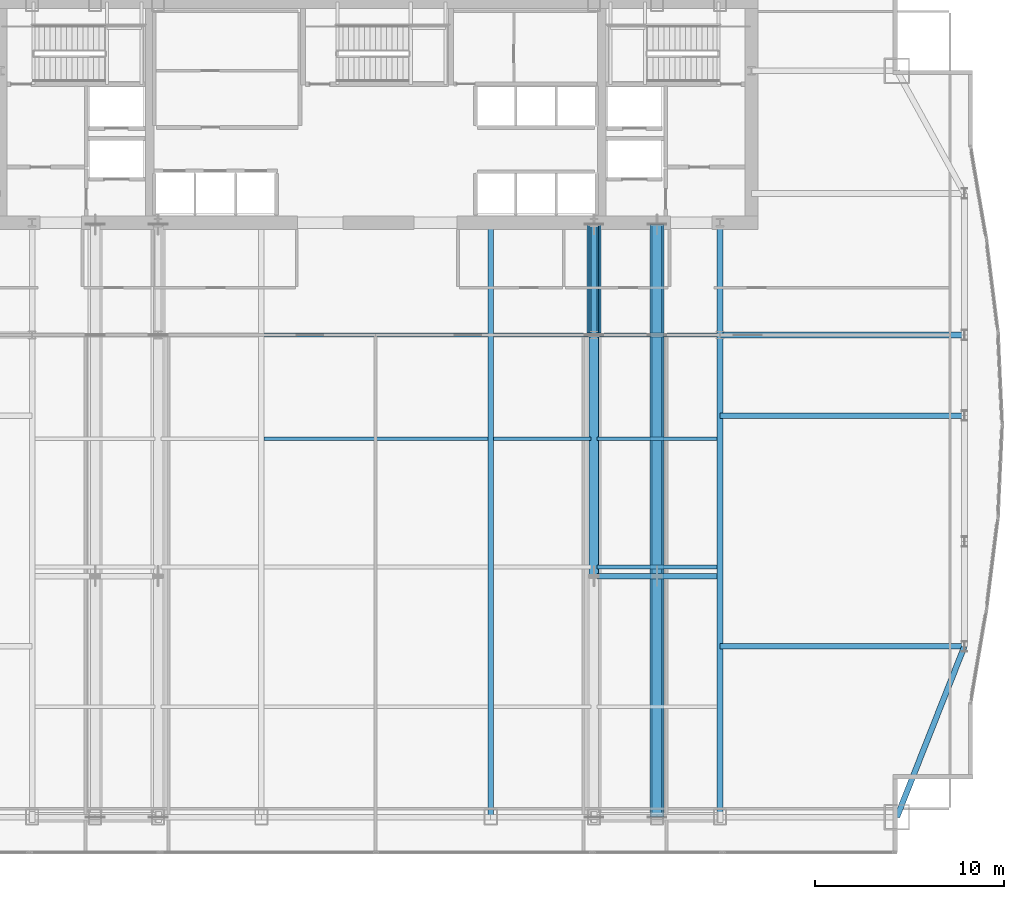
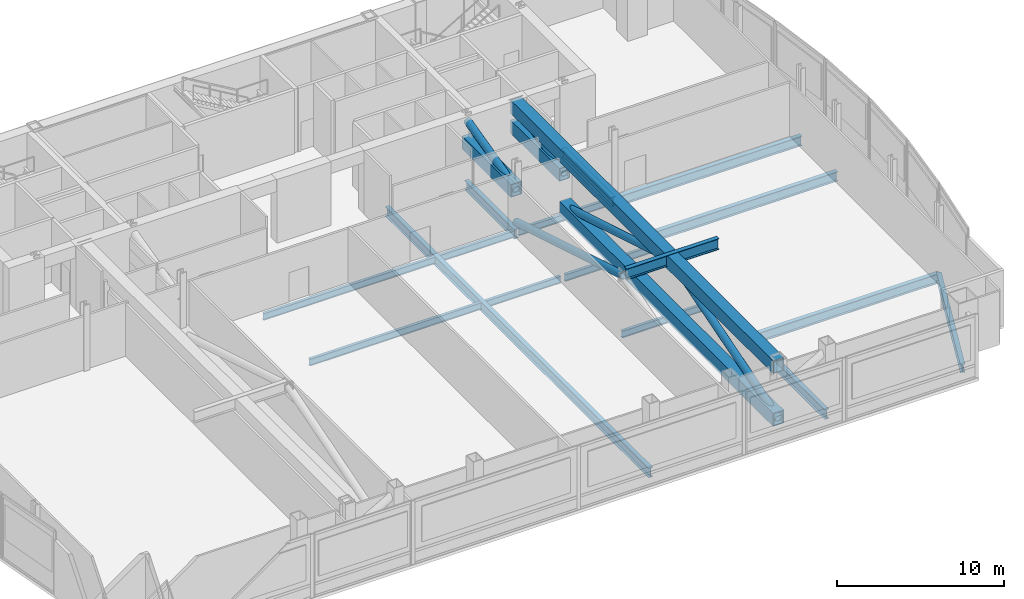
# One storey, part 16 of 30: 16 beams, 9 members.
"""IFC4 building model written with IfcOpenShell, lengths in metres."""

import ifcopenshell
import ifcopenshell.guid

model = None  # the IFC model being written
_history = None  # IfcOwnerHistory: only IFC2X3 demands one
_inside = {}  # id of a spatial element -> (the spatial element, [elements in it])
_under = {}  # id of a project, library or spatial element -> (it, [spatial elements below it])
_declared = {}  # id of a project -> (the project, [libraries it declares])
_typed = {}  # id of a type object -> (the type object, [elements of that type])
_made_of = {}  # id of a material, layer set ... -> (it, [elements and type objects made of it])


def new_model(schema):
    """Start an empty IFC model of exactly this schema.

    Asked for "IFC4X3", IfcOpenShell would pick the latest addendum, in which some entities
    have other attributes; the version numbers below select the first issue.
    IFC2X3 requires an IfcOwnerHistory on every rooted entity: one is made here for all.
    """
    global model, _history
    if schema == "IFC4X3":
        model = ifcopenshell.file(schema_version=(4, 3, 0, 0))
    else:
        model = ifcopenshell.file(schema=schema)
    _inside.clear()
    _under.clear()
    _declared.clear()
    _typed.clear()
    _made_of.clear()
    _history = None
    if model.schema == "IFC2X3":
        org = make("IfcOrganization", Name="unknown")
        user = make(
            "IfcPersonAndOrganization",
            ThePerson=make("IfcPerson", FamilyName="unknown"),
            TheOrganization=org,
        )
        app = make(
            "IfcApplication",
            ApplicationDeveloper=org,
            Version="unknown",
            ApplicationFullName="unknown",
            ApplicationIdentifier="unknown",
        )
        _history = make(
            "IfcOwnerHistory",
            OwningUser=user,
            OwningApplication=app,
            ChangeAction="ADDED",
            CreationDate=0,
        )
    return model


def make(cls, **values):
    """One entity of the class cls with the attributes given. An attribute that is None is left unset."""
    return model.create_entity(
        cls, **{name: value for name, value in values.items() if value is not None}
    )


def rooted(cls, **values):
    """An entity with a GlobalId (a new one), such as an element, a storey or a relation."""
    return make(cls, GlobalId=ifcopenshell.guid.new(), OwnerHistory=_history, **values)


def si_unit(unit_type, name, prefix=None):
    """IfcSIUnit, for example si_unit("LENGTHUNIT", "METRE", prefix="MILLI")."""
    return make("IfcSIUnit", UnitType=unit_type, Prefix=prefix, Name=name)


def assignment(units):
    """IfcUnitAssignment: the units of a project."""
    return None if units is None else make("IfcUnitAssignment", Units=units)


def point(xyz):
    """IfcCartesianPoint."""
    return None if xyz is None else make("IfcCartesianPoint", Coordinates=xyz)


def direction(xyz):
    """IfcDirection."""
    return None if xyz is None else make("IfcDirection", DirectionRatios=xyz)


def frame(location, z_axis=None, x_axis=None):
    """IfcAxis2Placement3D, a coordinate frame: its origin and axes. An axis left out is left unset."""
    return make(
        "IfcAxis2Placement3D",
        Location=point(location),
        Axis=direction(z_axis),
        RefDirection=direction(x_axis),
    )


def frame_2d(location, x_axis=None):
    """IfcAxis2Placement2D, a coordinate frame in the plane: its origin and x axis."""
    return make(
        "IfcAxis2Placement2D", Location=point(location), RefDirection=direction(x_axis)
    )


def origin():
    """The frame at (0, 0, 0) with its axes left unset."""
    return frame((0.0, 0.0, 0.0))


def origin_2d():
    """The frame at (0, 0) in the plane with its x axis left unset."""
    return frame_2d((0.0, 0.0))


def place(relative_to, where):
    """IfcLocalPlacement: puts the frame where relative to a parent placement (None: the world)."""
    return make(
        "IfcLocalPlacement", PlacementRelTo=relative_to, RelativePlacement=where
    )


def context(
    kind, dimensions, precision=None, world=None, true_north=None, identifier=None
):
    """IfcGeometricRepresentationContext, for example the 3D "Model" context."""
    return make(
        "IfcGeometricRepresentationContext",
        ContextIdentifier=identifier,
        ContextType=kind,
        CoordinateSpaceDimension=dimensions,
        Precision=precision,
        WorldCoordinateSystem=world,
        TrueNorth=true_north,
    )


def subcontext(parent, identifier, kind, view, scale=None):
    """IfcGeometricRepresentationSubContext, for example "Body" below "Model"."""
    return make(
        "IfcGeometricRepresentationSubContext",
        ContextIdentifier=identifier,
        ContextType=kind,
        ParentContext=parent,
        TargetScale=scale,
        TargetView=view,
    )


def project(units=None, contexts=None):
    """IfcProject with its units and contexts."""
    return rooted(
        "IfcProject",
        Name="project",
        RepresentationContexts=contexts,
        UnitsInContext=assignment(units),
    )


def spatial(cls, under=None, at=None, **own):
    """A site, building, storey or space (cls), placed at a placement, below another one or the project."""
    s = rooted(cls, ObjectPlacement=at, **own)
    if under is not None:
        _under.setdefault(under.id(), (under, []))[1].append(s)
    return s


def profile(cls, at=None, kind="AREA", **sizes):
    """A parametric profile (cls). Its sizes go by their IFC names, for example OverallWidth=200.0."""
    return make(cls, ProfileType=kind, Position=at, **sizes)


def hollow_rectangle(**sizes):
    """IfcRectangleHollowProfileDef."""
    return profile("IfcRectangleHollowProfileDef", **sizes)


def hollow_circle(**sizes):
    """IfcCircleHollowProfileDef."""
    return profile("IfcCircleHollowProfileDef", **sizes)


def i_section(**sizes):
    """IfcIShapeProfileDef."""
    return profile("IfcIShapeProfileDef", **sizes)


def extrude(swept, where, along, depth):
    """IfcExtrudedAreaSolid: the profile swept, set in the frame where, extruded along a direction by depth."""
    return make(
        "IfcExtrudedAreaSolid",
        SweptArea=swept,
        Position=where,
        ExtrudedDirection=direction(along),
        Depth=depth,
    )


def shape(context_of_items, identifier, shape_type, items):
    """IfcShapeRepresentation: the items that make up one representation, for example the "Body"."""
    return make(
        "IfcShapeRepresentation",
        ContextOfItems=context_of_items,
        RepresentationIdentifier=identifier,
        RepresentationType=shape_type,
        Items=items,
    )


def material(Name=None, Category=None):
    """IfcMaterial."""
    return make("IfcMaterial", Name=Name, Category=Category)


def material_profile(
    of_material, cross_section, Name=None, Category=None, Priority=None
):
    """IfcMaterialProfile: a cross section and its material."""
    return make(
        "IfcMaterialProfile",
        Name=Name,
        Material=of_material,
        Profile=cross_section,
        Priority=Priority,
        Category=Category,
    )


def profile_set(profiles, Name=None, composite=None):
    """IfcMaterialProfileSet."""
    return make(
        "IfcMaterialProfileSet",
        Name=Name,
        MaterialProfiles=profiles,
        CompositeProfile=composite,
    )


def made_of(thing, what):
    """Note that an element or type object is made of a material, layer set ...; save() writes the relation."""
    if what is not None:
        _made_of.setdefault(what.id(), (what, []))[1].append(thing)
    return thing


def type_object(cls, material=None, **own):
    """A type object (cls), such as IfcWallType, which elements share."""
    return made_of(rooted(cls, **own), material)


def element(
    cls,
    number,
    at=None,
    inside=None,
    cuts=None,
    type_object=None,
    material=None,
    context=None,
    identifier="Body",
    shape_type=None,
    held_by="IfcProductDefinitionShape",
    body=None,
    shapes=None,
    **own,
):
    """One element of the class cls, such as IfcWall. Its Tag is "e" and its number.

    at: its placement. inside: the storey or other place that contains it. cuts: it is an
    opening in that element (IfcRelVoidsElement). A single representation is given by context,
    identifier, shape_type and body (its items); several are given by shapes. held_by: the class
    of the entity that holds the representations. save() writes the other relations.
    """
    e = rooted(cls, Tag="e%d" % number, ObjectPlacement=at, **own)
    if body is not None:
        shapes = [shape(context, identifier, shape_type, body)]
    if shapes is not None:
        e.Representation = make(held_by, Representations=shapes)
    if inside is not None:
        _inside.setdefault(inside.id(), (inside, []))[1].append(e)
    if cuts is not None:
        rooted(
            "IfcRelVoidsElement", RelatingBuildingElement=cuts, RelatedOpeningElement=e
        )
    if type_object is not None:
        _typed.setdefault(type_object.id(), (type_object, []))[1].append(e)
    return made_of(e, material)


def aggregate(whole, parts):
    """IfcRelAggregates: a whole, such as a stair, and the parts it consists of."""
    return rooted("IfcRelAggregates", RelatingObject=whole, RelatedObjects=parts)


def save(model, path):
    """Write the relations noted so far, then the file.

    IfcRelAggregates (storeys below a building ...), IfcRelContainedInSpatialStructure (elements
    in a storey), IfcRelDefinesByType, IfcRelAssociatesMaterial and IfcRelDeclares: one each for
    every whole, place, type object, material and project.
    """
    for whole, parts in _under.values():
        aggregate(whole, parts)
    for where, things in _inside.values():
        rooted(
            "IfcRelContainedInSpatialStructure",
            RelatedElements=things,
            RelatingStructure=where,
        )
    for kind, things in _typed.values():
        rooted("IfcRelDefinesByType", RelatedObjects=things, RelatingType=kind)
    for what, things in _made_of.values():
        rooted("IfcRelAssociatesMaterial", RelatedObjects=things, RelatingMaterial=what)
    for by, libraries in _declared.values():
        rooted("IfcRelDeclares", RelatingContext=by, RelatedDefinitions=libraries)
    model.write(path)


model = new_model("IFC4")

# Units and contexts
model_context = context("Model", 3, precision=1e-05, world=origin(), true_north=direction((0.0, 1.0)))
body_context = subcontext(model_context, "Body", "Model", "MODEL_VIEW")
ifc_project = project(units=[si_unit("LENGTHUNIT", "METRE"), si_unit("AREAUNIT", "SQUARE_METRE"), si_unit("VOLUMEUNIT", "CUBIC_METRE"), si_unit("PLANEANGLEUNIT", "RADIAN"), si_unit("MASSUNIT", "GRAM", prefix="KILO")], contexts=[model_context])

# Site, building, storey
site_placement = place(None, origin())
site = spatial("IfcSite", under=ifc_project, at=site_placement, CompositionType="ELEMENT")
building_placement = place(site_placement, origin())
building = spatial("IfcBuilding", under=site, at=building_placement, Name="Khoronbel Lancet Exchange", CompositionType="ELEMENT")
storey_placement = place(building_placement, frame((0.0, 0.0, 172.199951171875)))
storey = spatial("IfcBuildingStorey", under=building, at=storey_placement, Name="L43", CompositionType="ELEMENT", Elevation=172.199951171875)

# Beams
ifc_material_1 = material(Name="Steel S355", Category="steel")
ifc_material_profile_1 = material_profile(ifc_material_1, i_section(OverallWidth=0.300048828125, OverallDepth=0.800048828125, WebThickness=0.017578125, FlangeThickness=0.032958984375, at=origin_2d()), Name="HEB 800")
ifc_profile_set_1 = profile_set([ifc_material_profile_1], Name="Steel S355")
beam_type_1 = type_object("IfcBeamType", Name="BM-BG2", PredefinedType="BEAM", material=ifc_profile_set_1)
beam_1_placement = place(storey_placement, frame((48.14990234375, 22.925048828125, 4.239990234375), z_axis=(1.0, 0.0, 0.0), x_axis=(0.0, 1.0, 0.0)))
element("IfcBeam", 1, at=beam_1_placement, inside=storey, type_object=beam_type_1, Name="Outrigger apex collector beam L43-E", PredefinedType="BEAM", context=body_context, shape_type="SweptSolid", body=[
    extrude(i_section(OverallWidth=0.300048828125, OverallDepth=0.800048828125, WebThickness=0.017578125, FlangeThickness=0.032958984375, at=origin_2d()), origin(), (0.0, 0.0, 1.0), 6.375),
])
ifc_material_profile_2 = material_profile(ifc_material_1, i_section(OverallWidth=0.300048828125, OverallDepth=0.699951171875, WebThickness=0.01708984375, FlangeThickness=0.031982421875, at=origin_2d()), Name="HEB 700")
ifc_profile_set_2 = profile_set([ifc_material_profile_2], Name="Steel S355")
beam_type_2 = type_object("IfcBeamType", Name="BM-BG3", PredefinedType="BEAM", material=ifc_profile_set_2)
beam_2_placement = place(storey_placement, frame((42.52490234375, 10.14990234375, -0.570068359375), z_axis=(0.0, 1.0, 0.0), x_axis=(-1.0, 0.0, 0.0)))
element("IfcBeam", 2, at=beam_2_placement, inside=storey, type_object=beam_type_2, Name="Level L43 primary floor girder G4", PredefinedType="BEAM", context=body_context, shape_type="SweptSolid", body=[
    extrude(i_section(OverallWidth=0.300048828125, OverallDepth=0.699951171875, WebThickness=0.01708984375, FlangeThickness=0.031982421875, at=origin_2d()), origin(), (0.0, 0.0, 1.0), 31.5),
])
beam_3_placement = place(storey_placement, frame((48.0, 35.699951171875, -0.570068359375), z_axis=(0.0, 1.0, 0.0), x_axis=(-1.0, 0.0, 0.0)))
element("IfcBeam", 3, at=beam_3_placement, inside=storey, type_object=beam_type_2, Name="Level L43 spine tie girder GN5", PredefinedType="BEAM", context=body_context, shape_type="SweptSolid", body=[
    extrude(i_section(OverallWidth=0.300048828125, OverallDepth=0.699951171875, WebThickness=0.01708984375, FlangeThickness=0.031982421875, at=origin_2d()), origin(), (0.0, 0.0, 1.0), 5.949951171875),
])
beam_4_placement = place(storey_placement, frame((54.675048828125, 10.14990234375, -0.570068359375), z_axis=(0.0, 1.0, 0.0), x_axis=(-1.0, 0.0, 0.0)))
element("IfcBeam", 4, at=beam_4_placement, inside=storey, type_object=beam_type_2, Name="Level L43 south primary girder GS6", PredefinedType="BEAM", context=body_context, shape_type="SweptSolid", body=[
    extrude(i_section(OverallWidth=0.300048828125, OverallDepth=0.699951171875, WebThickness=0.01708984375, FlangeThickness=0.031982421875, at=origin_2d()), origin(), (0.0, 0.0, 1.0), 25.550048828125),
])
beam_5_placement = place(storey_placement, frame((54.675048828125, 35.699951171875, -0.570068359375), z_axis=(0.0, 1.0, 0.0), x_axis=(-1.0, 0.0, 0.0)))
element("IfcBeam", 5, at=beam_5_placement, inside=storey, type_object=beam_type_2, Name="Level L43 spine tie girder GN6", PredefinedType="BEAM", context=body_context, shape_type="SweptSolid", body=[
    extrude(i_section(OverallWidth=0.300048828125, OverallDepth=0.699951171875, WebThickness=0.01708984375, FlangeThickness=0.031982421875, at=origin_2d()), origin(), (0.0, 0.0, 1.0), 5.949951171875),
])
for number, where, z_axis, x_axis, name in (
    (6, (54.675048828125, 19.199951171875, -0.570068359375), (1.0, 0.0, 0.0), (0.0, 1.0, 0.0), "Level L43 east lens tie girder LG1E"),
    (7, (54.675048828125, 31.425048828125, -0.570068359375), (1.0, 0.0, 0.0), (0.0, 1.0, 0.0), "Level L43 east lens tie girder LG2E"),
    (8, (54.675048828125, 35.699951171875, -0.570068359375), (1.0, 0.0, 0.0), (0.0, 1.0, 0.0), "Level L43 east lens tie girder LG4E"),
):
    element("IfcBeam", number, at=place(storey_placement, frame(where, z_axis=z_axis, x_axis=x_axis)), inside=storey, type_object=beam_type_2, Name=name, PredefinedType="BEAM", context=body_context, shape_type="SweptSolid", body=[
        extrude(i_section(OverallWidth=0.300048828125, OverallDepth=0.699951171875, WebThickness=0.01708984375, FlangeThickness=0.031982421875, at=origin_2d()), origin(), (0.0, 0.0, 1.0), 12.954833984375),
    ])
ifc_material_profile_3 = material_profile(ifc_material_1, i_section(OverallWidth=0.199951171875, OverallDepth=0.5, WebThickness=0.01025390625, FlangeThickness=0.01611328125, at=origin_2d()), Name="IPE 500")
ifc_profile_set_3 = profile_set([ifc_material_profile_3], Name="Steel S355")
beam_type_3 = type_object("IfcBeamType", Name="BM-BJ3", PredefinedType="JOIST", material=ifc_profile_set_3)
beam_6_placement = place(storey_placement, frame((48.14990234375, 23.39990234375, -0.469970703125), z_axis=(1.0, 0.0, 0.0), x_axis=(0.0, 1.0, 0.0)))
element("IfcBeam", 9, at=beam_6_placement, inside=storey, type_object=beam_type_3, Name="Level L43 secondary composite joist J10", PredefinedType="JOIST", context=body_context, shape_type="SweptSolid", body=[
    extrude(i_section(OverallWidth=0.199951171875, OverallDepth=0.5, WebThickness=0.01025390625, FlangeThickness=0.01611328125, at=origin_2d()), origin(), (0.0, 0.0, 1.0), 6.375),
])
beam_7_placement = place(storey_placement, frame((30.52490234375, 30.199951171875, -0.469970703125), z_axis=(1.0, 0.0, 0.0), x_axis=(0.0, 1.0, 0.0)))
element("IfcBeam", 10, at=beam_7_placement, inside=storey, type_object=beam_type_3, Name="Level L43 secondary composite joist J13", PredefinedType="JOIST", context=body_context, shape_type="SweptSolid", body=[
    extrude(i_section(OverallWidth=0.199951171875, OverallDepth=0.5, WebThickness=0.01025390625, FlangeThickness=0.01611328125, at=origin_2d()), origin(), (0.0, 0.0, 1.0), 11.85009765625),
])
beam_8_placement = place(storey_placement, frame((42.675048828125, 30.199951171875, -0.469970703125), z_axis=(1.0, 0.0, 0.0), x_axis=(0.0, 1.0, 0.0)))
element("IfcBeam", 11, at=beam_8_placement, inside=storey, type_object=beam_type_3, Name="Level L43 secondary composite joist J14", PredefinedType="JOIST", context=body_context, shape_type="SweptSolid", body=[
    extrude(i_section(OverallWidth=0.199951171875, OverallDepth=0.5, WebThickness=0.01025390625, FlangeThickness=0.01611328125, at=origin_2d()), origin(), (0.0, 0.0, 1.0), 5.175048828125),
])
beam_9_placement = place(storey_placement, frame((48.14990234375, 30.199951171875, -0.469970703125), z_axis=(1.0, 0.0, 0.0), x_axis=(0.0, 1.0, 0.0)))
element("IfcBeam", 12, at=beam_9_placement, inside=storey, type_object=beam_type_3, Name="Level L43 secondary composite joist J15", PredefinedType="JOIST", context=body_context, shape_type="SweptSolid", body=[
    extrude(i_section(OverallWidth=0.199951171875, OverallDepth=0.5, WebThickness=0.01025390625, FlangeThickness=0.01611328125, at=origin_2d()), origin(), (0.0, 0.0, 1.0), 6.375),
])
beam_10_placement = place(storey_placement, frame((30.52490234375, 35.699951171875, -0.469970703125), z_axis=(1.0, 0.0, 0.0), x_axis=(0.0, 1.0, 0.0)))
element("IfcBeam", 13, at=beam_10_placement, inside=storey, type_object=beam_type_3, Name="Level L43 secondary composite joist J18", PredefinedType="JOIST", context=body_context, shape_type="SweptSolid", body=[
    extrude(i_section(OverallWidth=0.199951171875, OverallDepth=0.5, WebThickness=0.01025390625, FlangeThickness=0.01611328125, at=origin_2d()), origin(), (0.0, 0.0, 1.0), 11.85009765625),
])
beam_11_placement = place(storey_placement, frame((42.675048828125, 35.699951171875, -0.469970703125), z_axis=(1.0, 0.0, 0.0), x_axis=(0.0, 1.0, 0.0)))
element("IfcBeam", 14, at=beam_11_placement, inside=storey, type_object=beam_type_3, Name="Level L43 secondary composite joist J19", PredefinedType="JOIST", context=body_context, shape_type="SweptSolid", body=[
    extrude(i_section(OverallWidth=0.199951171875, OverallDepth=0.5, WebThickness=0.01025390625, FlangeThickness=0.01611328125, at=origin_2d()), origin(), (0.0, 0.0, 1.0), 5.175048828125),
])
beam_12_placement = place(storey_placement, frame((48.14990234375, 35.699951171875, -0.469970703125), z_axis=(1.0, 0.0, 0.0), x_axis=(0.0, 1.0, 0.0)))
element("IfcBeam", 15, at=beam_12_placement, inside=storey, type_object=beam_type_3, Name="Level L43 secondary composite joist J20", PredefinedType="JOIST", context=body_context, shape_type="SweptSolid", body=[
    extrude(i_section(OverallWidth=0.199951171875, OverallDepth=0.5, WebThickness=0.01025390625, FlangeThickness=0.01611328125, at=origin_2d()), origin(), (0.0, 0.0, 1.0), 6.375),
])
ifc_material_profile_4 = material_profile(ifc_material_1, i_section(OverallWidth=0.300048828125, OverallDepth=0.60009765625, WebThickness=0.015380859375, FlangeThickness=0.030029296875, at=origin_2d()), Name="HEB 600")
ifc_profile_set_4 = profile_set([ifc_material_profile_4], Name="Steel S355")
beam_type_4 = type_object("IfcBeamType", Name="BM-BSP2", PredefinedType="SPANDREL", material=ifc_profile_set_4)
beam_13_placement = place(storey_placement, frame((64.050048828125, 10.14990234375, -0.52001953125), z_axis=(0.367828403855, 0.929893684954, 0.0), x_axis=(-0.929893684954, 0.367828403855, 0.0)))
element("IfcBeam", 16, at=beam_13_placement, inside=storey, type_object=beam_type_4, Name="Level L43 perimeter spandrel beam SP10", PredefinedType="SPANDREL", context=body_context, shape_type="SweptSolid", body=[
    extrude(i_section(OverallWidth=0.300048828125, OverallDepth=0.60009765625, WebThickness=0.015380859375, FlangeThickness=0.030029296875, at=origin_2d()), origin(), (0.0, 0.0, 1.0), 9.732421875),
])

# Members
ifc_material_2 = material(Name="Steel S460", Category="steel")
ifc_material_profile_5 = material_profile(ifc_material_2, hollow_circle(Radius=0.25390625, WallThickness=0.02490234375, at=origin_2d()), Name="CHS 508x25")
ifc_profile_set_5 = profile_set([ifc_material_profile_5], Name="Steel S460")
member_type_1 = type_object("IfcMemberType", Name="MEM-OBR2", PredefinedType="BRACE", material=ifc_profile_set_5)
member_1_placement = place(storey_placement, frame((48.0, 22.925048828125, 4.14013671875), z_axis=(0.0, 0.957668980071, -0.287871715544), x_axis=(-1.0, 0.0, 0.0)))
element("IfcMember", 17, at=member_1_placement, inside=storey, type_object=member_type_1, Name="Outrigger truss diagonal L43-3-2", PredefinedType="BRACE", context=body_context, shape_type="SweptSolid", body=[
    extrude(hollow_circle(Radius=0.25390625, WallThickness=0.02490234375, at=origin_2d()), origin(), (0.0, 0.0, 1.0), 13.339599609375),
])
member_2_placement = place(storey_placement, frame((48.0, 35.699951171875, 2.679931640625), z_axis=(0.0, 0.970232940732, 0.2421735756), x_axis=(-1.0, 0.0, 0.0)))
element("IfcMember", 18, at=member_2_placement, inside=storey, type_object=member_type_1, Name="Outrigger truss diagonal L43-3-3", PredefinedType="BRACE", context=body_context, shape_type="SweptSolid", body=[
    extrude(hollow_circle(Radius=0.25390625, WallThickness=0.02490234375, at=origin_2d()), origin(), (0.0, 0.0, 1.0), 6.029541015625),
])
member_3_placement = place(storey_placement, frame((51.33740234375, 10.14990234375, 0.300048828125), z_axis=(0.0, 0.957670496718, 0.287866670034), x_axis=(-1.0, 0.0, 0.0)))
element("IfcMember", 19, at=member_3_placement, inside=storey, type_object=member_type_1, Name="Outrigger truss diagonal L43-4-1", PredefinedType="BRACE", context=body_context, shape_type="SweptSolid", body=[
    extrude(hollow_circle(Radius=0.25390625, WallThickness=0.02490234375, at=origin_2d()), origin(), (0.0, 0.0, 1.0), 13.33984375),
])
member_4_placement = place(storey_placement, frame((51.33740234375, 22.925048828125, 4.14013671875), z_axis=(0.0, 0.957668980071, -0.287871715544), x_axis=(-1.0, 0.0, 0.0)))
element("IfcMember", 20, at=member_4_placement, inside=storey, type_object=member_type_1, Name="Outrigger truss diagonal L43-4-2", PredefinedType="BRACE", context=body_context, shape_type="SweptSolid", body=[
    extrude(hollow_circle(Radius=0.25390625, WallThickness=0.02490234375, at=origin_2d()), origin(), (0.0, 0.0, 1.0), 13.339599609375),
])
member_5_placement = place(storey_placement, frame((51.33740234375, 35.699951171875, 2.679931640625), z_axis=(0.0, 0.970232940732, 0.2421735756), x_axis=(-1.0, 0.0, 0.0)))
element("IfcMember", 21, at=member_5_placement, inside=storey, type_object=member_type_1, Name="Outrigger truss diagonal L43-4-3", PredefinedType="BRACE", context=body_context, shape_type="SweptSolid", body=[
    extrude(hollow_circle(Radius=0.25390625, WallThickness=0.02490234375, at=origin_2d()), origin(), (0.0, 0.0, 1.0), 6.029541015625),
])
ifc_material_profile_6 = material_profile(ifc_material_2, hollow_rectangle(XDim=0.75, YDim=0.949951171875, WallThickness=0.054931640625, at=origin_2d()), Name="BOX 950x750x55")
ifc_profile_set_6 = profile_set([ifc_material_profile_6], Name="Steel S460")
member_type_2 = type_object("IfcMemberType", Name="MEM-OCH2", PredefinedType="CHORD", material=ifc_profile_set_6)
member_6_placement = place(storey_placement, frame((48.0, 35.699951171875, 2.679931640625), z_axis=(0.0, 1.0, 0.0), x_axis=(-1.0, 0.0, 0.0)))
element("IfcMember", 22, at=member_6_placement, inside=storey, type_object=member_type_2, Name="Outrigger corridor portal tie chord L43-3-COR", PredefinedType="CHORD", context=body_context, shape_type="SweptSolid", body=[
    extrude(hollow_rectangle(XDim=0.75, YDim=0.949951171875, WallThickness=0.054931640625, at=origin_2d()), origin(), (0.0, 0.0, 1.0), 5.85009765625),
])
member_7_placement = place(storey_placement, frame((51.33740234375, 10.14990234375, 0.300048828125), z_axis=(0.0, 1.0, 0.0), x_axis=(-1.0, 0.0, 0.0)))
element("IfcMember", 23, at=member_7_placement, inside=storey, type_object=member_type_2, Name="Outrigger truss bottom chord L43-4-BOT", PredefinedType="CHORD", context=body_context, shape_type="SweptSolid", body=[
    extrude(hollow_rectangle(XDim=0.75, YDim=0.949951171875, WallThickness=0.054931640625, at=origin_2d()), origin(), (0.0, 0.0, 1.0), 25.550048828125),
])
member_8_placement = place(storey_placement, frame((51.33740234375, 35.699951171875, 2.679931640625), z_axis=(0.0, 1.0, 0.0), x_axis=(-1.0, 0.0, 0.0)))
element("IfcMember", 24, at=member_8_placement, inside=storey, type_object=member_type_2, Name="Outrigger corridor portal tie chord L43-4-COR", PredefinedType="CHORD", context=body_context, shape_type="SweptSolid", body=[
    extrude(hollow_rectangle(XDim=0.75, YDim=0.949951171875, WallThickness=0.054931640625, at=origin_2d()), origin(), (0.0, 0.0, 1.0), 5.85009765625),
])
member_9_placement = place(storey_placement, frame((51.33740234375, 10.14990234375, 4.14013671875), z_axis=(0.0, 1.0, 0.0), x_axis=(-1.0, 0.0, 0.0)))
element("IfcMember", 25, at=member_9_placement, inside=storey, type_object=member_type_2, Name="Outrigger truss top chord L43-4-TOP", PredefinedType="CHORD", context=body_context, shape_type="SweptSolid", body=[
    extrude(hollow_rectangle(XDim=0.75, YDim=0.949951171875, WallThickness=0.054931640625, at=origin_2d()), origin(), (0.0, 0.0, 1.0), 31.400146484375),
])

save(model, "model.ifc")
